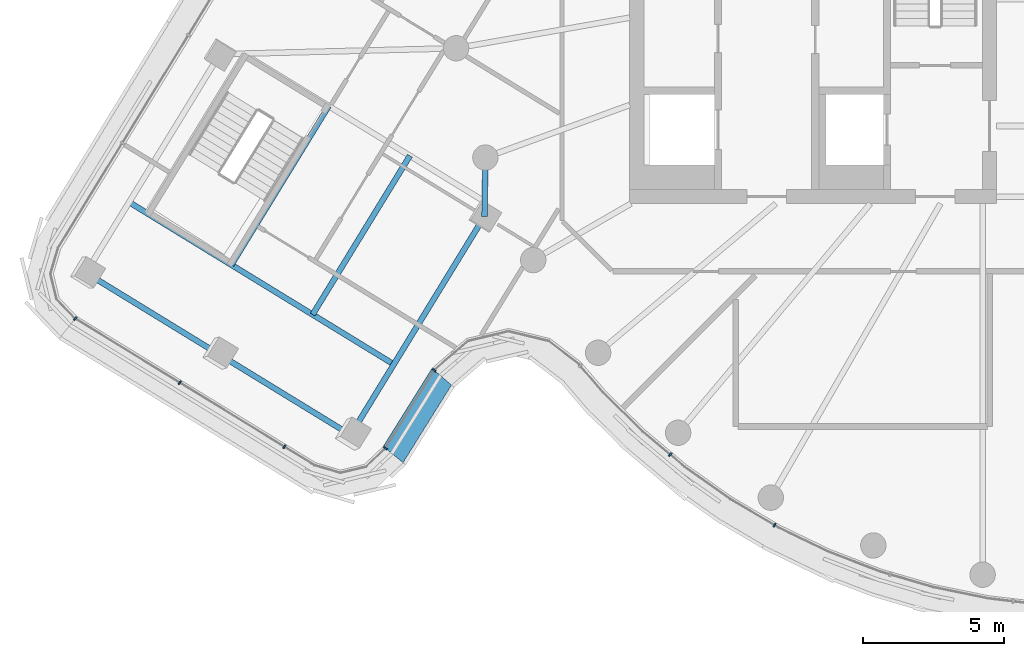
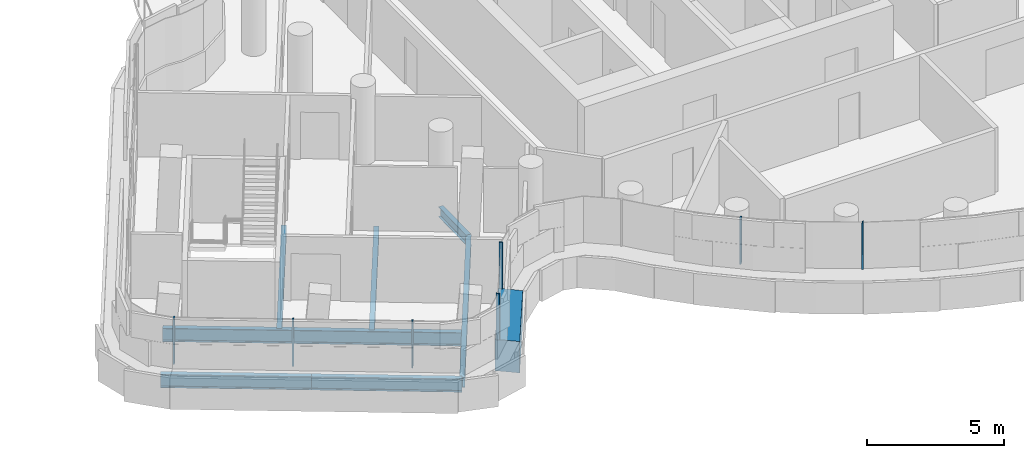
# One storey, part 2 of 27: 8 members, 7 beams, 3 elements without a shape of their own.
"""IFC4 building model written with IfcOpenShell, lengths in metres."""

from ifc_helpers import new_model, si_unit, direction, frame, origin, origin_2d, place, context, subcontext, project, spatial, polyline, rectangle, i_section, outline, extrude, material, layer, layer_set, material_profile, profile_set, type_object, element, aggregate, save


model = new_model("IFC4")

# Units and contexts
model_context = context("Model", 3, precision=1e-05, world=origin(), true_north=direction((0.0, 1.0)))
body_context = subcontext(model_context, "Body", "Model", "MODEL_VIEW")
ifc_project = project(units=[si_unit("LENGTHUNIT", "METRE"), si_unit("AREAUNIT", "SQUARE_METRE"), si_unit("VOLUMEUNIT", "CUBIC_METRE"), si_unit("PLANEANGLEUNIT", "RADIAN"), si_unit("MASSUNIT", "GRAM", prefix="KILO")], contexts=[model_context])

# Site, building, storey
site_placement = place(None, origin())
site = spatial("IfcSite", under=ifc_project, at=site_placement, CompositionType="ELEMENT")
building_placement = place(site_placement, origin())
building = spatial("IfcBuilding", under=site, at=building_placement, Name="Tamarind Cross Interchange Tower", CompositionType="ELEMENT")
storey_placement = place(building_placement, frame((0.0, 0.0, 245.10009765625)))
storey = spatial("IfcBuildingStorey", under=building, at=storey_placement, Name="L62", CompositionType="ELEMENT", Elevation=245.10009765625)

# Beams
ifc_material_1 = material(Name="Steel Q355B", Category="steel")
ifc_material_profile_1 = material_profile(ifc_material_1, i_section(OverallWidth=0.198974609375, OverallDepth=0.446044921875, WebThickness=0.008056640625, FlangeThickness=0.011962890625, FilletRadius=0.012939453125, at=origin_2d()), Name="HN 446x199x8x12")
ifc_profile_set_1 = profile_set([ifc_material_profile_1], Name="Steel Q355B")
beam_type_1 = type_object("IfcBeamType", Name="Composite beam HN 446x199x8x12 Q355B", PredefinedType="BEAM", material=ifc_profile_set_1)
beam_1_placement = place(storey_placement, frame((-26.390625, -17.6962890625, -0.363037109375), z_axis=(0.522367293093, 0.852720593809, 0.0), x_axis=(-0.852720593809, 0.522367293093, 0.0)))
element("IfcBeam", 1, at=beam_1_placement, inside=storey, type_object=beam_type_1, Name="Beam W-edgeep2", PredefinedType="BEAM", context=body_context, shape_type="SweptSolid", body=[
    extrude(i_section(OverallWidth=0.198974609375, OverallDepth=0.446044921875, WebThickness=0.008056640625, FlangeThickness=0.011962890625, FilletRadius=0.012939453125, at=origin_2d()), origin(), (0.0, 0.0, 1.0), 9.08349609375),
])
beam_2_placement = place(storey_placement, frame((-21.645751953125, -9.95068359375, -0.363037109375), z_axis=(0.01569444721, 0.999876834579, 0.0), x_axis=(-0.999876834579, 0.01569444721, 0.0)))
element("IfcBeam", 2, at=beam_2_placement, inside=storey, type_object=beam_type_1, Name="Beam W-linkep", PredefinedType="BEAM", context=body_context, shape_type="SweptSolid", body=[
    extrude(i_section(OverallWidth=0.198974609375, OverallDepth=0.446044921875, WebThickness=0.008056640625, FlangeThickness=0.011962890625, FilletRadius=0.012939453125, at=origin_2d()), origin(), (0.0, 0.0, 1.0), 2.08447265625),
])
for number, where, z_axis, x_axis, name in (
    (3, (-27.16650390625, -6.041015625, -0.363037109375), (-0.522356463097, -0.852727228052, 0.0), (0.852727228052, -0.522356463097, 0.0), "Beam W-tr1"),
    (4, (-24.28857421875, -7.803955078125, -0.363037109375), (-0.522356463097, -0.852727228052, 0.0), (0.852727228052, -0.522356463097, 0.0), "Beam W-stripp"),
):
    element("IfcBeam", number, at=place(storey_placement, frame(where, z_axis=z_axis, x_axis=x_axis)), inside=storey, type_object=beam_type_1, Name=name, PredefinedType="BEAM", context=body_context, shape_type="SweptSolid", body=[
        extrude(i_section(OverallWidth=0.198974609375, OverallDepth=0.446044921875, WebThickness=0.008056640625, FlangeThickness=0.011962890625, FilletRadius=0.012939453125, at=origin_2d()), origin(), (0.0, 0.0, 1.0), 6.599853515625),
    ])
ifc_material_profile_2 = material_profile(ifc_material_1, i_section(OverallWidth=0.198974609375, OverallDepth=0.595947265625, WebThickness=0.010009765625, FlangeThickness=0.014892578125, FilletRadius=0.012939453125, at=origin_2d()), Name="HN 596x199x10x15")
ifc_profile_set_2 = profile_set([ifc_material_profile_2], Name="Steel Q355B")
beam_type_2 = type_object("IfcBeamType", Name="Composite beam HN 596x199x10x15 Q355B", PredefinedType="BEAM", material=ifc_profile_set_2)
for number, where, z_axis, x_axis, name in (
    (5, (-35.7705078125, -11.9501953125, -0.43798828125), (0.852717341803, -0.522372601683, 0.0), (0.522372601683, 0.852717341803, 0.0), "Beam W-tip0"),
    (6, (-31.08056640625, -14.8232421875, -0.43798828125), (0.852717341803, -0.522372601683, 0.0), (0.522372601683, 0.852717341803, 0.0), "Beam W-tip1"),
):
    element("IfcBeam", number, at=place(storey_placement, frame(where, z_axis=z_axis, x_axis=x_axis)), inside=storey, type_object=beam_type_2, Name=name, PredefinedType="BEAM", context=body_context, shape_type="SweptSolid", body=[
        extrude(i_section(OverallWidth=0.198974609375, OverallDepth=0.595947265625, WebThickness=0.010009765625, FlangeThickness=0.014892578125, FilletRadius=0.012939453125, at=origin_2d()), origin(), (0.0, 0.0, 1.0), 5.5),
    ])
beam_3_placement = place(storey_placement, frame((-34.23828125, -9.44873046875, -0.43798828125), z_axis=(0.852723397946, -0.522362715548, 0.0), x_axis=(0.522362715548, 0.852723397946, 0.0)))
element("IfcBeam", 7, at=beam_3_placement, inside=storey, type_object=beam_type_2, Name="Beam W-x364", PredefinedType="BEAM", context=body_context, shape_type="SweptSolid", body=[
    extrude(i_section(OverallWidth=0.198974609375, OverallDepth=0.595947265625, WebThickness=0.010009765625, FlangeThickness=0.014892578125, FilletRadius=0.012939453125, at=origin_2d()), origin(), (0.0, 0.0, 1.0), 11.000244140625),
])

# Curtain wall, member
ifc_material_2 = material(Name="Aluminium 6063-T6", Category="aluminium")
ifc_layer = layer(ifc_material_2, 0.139892578125)
ifc_layer_set = layer_set([ifc_layer], Name="Aluminium 6063-T6")
curtain_wall_type = type_object("IfcCurtainWallType", Name="Hotel curtain wall, 4.5 m bays", PredefinedType="NOTDEFINED", material=ifc_layer_set)
curtain_wall_1_placement = place(storey_placement, origin())
curtain_wall_1 = element("IfcCurtainWall", 8, at=curtain_wall_1_placement, inside=storey, type_object=curtain_wall_type, Name="CWS-L62-05", PredefinedType="NOTDEFINED")
ifc_material_3 = material(Name="Aluminium and insulated spandrel panel", Category="aluminium")
member_type_1 = type_object("IfcMemberType", Name="Floor-edge blade transom", PredefinedType="USERDEFINED", material=ifc_material_3)
member_1_placement = place(storey_placement, origin())
member_1 = element("IfcMember", 9, at=member_1_placement, type_object=member_type_1, Name="CWT-L62-05", ObjectType="TRANSOM", PredefinedType="USERDEFINED", context=body_context, shape_type="SweptSolid", body=[
    extrude(outline(polyline([(-25.2333984375, -18.105224609375), (-23.505615234375, -15.337646484375), (-22.81396484375, -15.929443359375), (-24.53076171875, -18.678955078125), (-25.2333984375, -18.105224609375)])), origin(), (0.0, 0.0, 1.0), 1.39990234375),
])

# Curtain wall, members
curtain_wall_2_placement = place(storey_placement, origin())
curtain_wall_2 = element("IfcCurtainWall", 10, at=curtain_wall_2_placement, inside=storey, type_object=curtain_wall_type, Name="CWS-L62-04", PredefinedType="NOTDEFINED")
ifc_material_profile_3 = material_profile(ifc_material_2, rectangle(XDim=0.06005859375, YDim=0.139892578125, at=origin_2d()), Name="Mullion CW2")
ifc_profile_set_3 = profile_set([ifc_material_profile_3], Name="Aluminium 6063-T6")
member_type_2 = type_object("IfcMemberType", Name="Mullion CW2", PredefinedType="MULLION", material=ifc_profile_set_3)
member_2_placement = place(storey_placement, frame((-36.149658203125, -13.57666015625, 1.39990234375), z_axis=(0.0, 0.0, 1.0), x_axis=(0.777242608964, -0.629201022577, 0.0)))
member_2 = element("IfcMember", 11, at=member_2_placement, type_object=member_type_2, Name="CWM-L62-04-00", PredefinedType="MULLION", context=body_context, shape_type="SweptSolid", body=[
    extrude(rectangle(XDim=0.06005859375, YDim=0.139892578125, at=origin_2d()), origin(), (0.0, 0.0, 1.0), 2.06005859375),
])
member_3_placement = place(storey_placement, frame((-32.444091796875, -15.8466796875, 1.39990234375), z_axis=(0.0, 0.0, 1.0), x_axis=(0.852720404316, -0.522367602426, 0.0)))
member_3 = element("IfcMember", 12, at=member_3_placement, type_object=member_type_2, Name="CWM-L62-04-01", PredefinedType="MULLION", context=body_context, shape_type="SweptSolid", body=[
    extrude(rectangle(XDim=0.06005859375, YDim=0.139892578125, at=origin_2d()), origin(), (0.0, 0.0, 1.0), 2.06005859375),
])
member_4_placement = place(storey_placement, frame((-28.738525390625, -18.11669921875, 1.39990234375), z_axis=(0.0, 0.0, 1.0), x_axis=(0.852720404316, -0.522367602426, 0.0)))
member_4 = element("IfcMember", 13, at=member_4_placement, type_object=member_type_2, Name="CWM-L62-04-02", PredefinedType="MULLION", context=body_context, shape_type="SweptSolid", body=[
    extrude(rectangle(XDim=0.06005859375, YDim=0.139892578125, at=origin_2d()), origin(), (0.0, 0.0, 1.0), 2.06005859375),
])
aggregate(curtain_wall_2, [member_2, member_3, member_4])

# Member
member_5_placement = place(storey_placement, frame((-25.1552734375, -18.1689453125, 1.39990234375), z_axis=(0.0, 0.0, 1.0), x_axis=(0.632496936296, 0.774562860958, 0.0)))
member_5 = element("IfcMember", 14, at=member_5_placement, type_object=member_type_2, Name="CWM-L62-05-00", PredefinedType="MULLION", context=body_context, shape_type="SweptSolid", body=[
    extrude(rectangle(XDim=0.06005859375, YDim=0.139892578125, at=origin_2d()), origin(), (0.0, 0.0, 1.0), 2.06005859375),
])

aggregate(curtain_wall_1, [member_5, member_1])

# Curtain wall, members
curtain_wall_3_placement = place(storey_placement, origin())
curtain_wall_3 = element("IfcCurtainWall", 15, at=curtain_wall_3_placement, inside=storey, type_object=curtain_wall_type, Name="CWS-L62-06", PredefinedType="NOTDEFINED")
member_6_placement = place(storey_placement, frame((-23.4287109375, -15.4033203125, 1.39990234375), z_axis=(0.0, 0.0, 1.0), x_axis=(0.650272895634, 0.759700705017, 0.0)))
member_6 = element("IfcMember", 16, at=member_6_placement, type_object=member_type_2, Name="CWM-L62-06-00", PredefinedType="MULLION", context=body_context, shape_type="SweptSolid", body=[
    extrude(rectangle(XDim=0.06005859375, YDim=0.139892578125, at=origin_2d()), origin(), (0.0, 0.0, 1.0), 2.06005859375),
])
member_7_placement = place(storey_placement, frame((-15.064208984375, -18.396484375, 1.39990234375), z_axis=(0.0, 0.0, 1.0), x_axis=(0.765858396687, -0.643009266048, 0.0)))
member_7 = element("IfcMember", 17, at=member_7_placement, type_object=member_type_2, Name="CWM-L62-06-02", PredefinedType="MULLION", context=body_context, shape_type="SweptSolid", body=[
    extrude(rectangle(XDim=0.06005859375, YDim=0.139892578125, at=origin_2d()), origin(), (0.0, 0.0, 1.0), 2.06005859375),
])
member_8_placement = place(storey_placement, frame((-11.371337890625, -20.89599609375, 1.39990234375), z_axis=(0.0, 0.0, 1.0), x_axis=(0.861248933065, -0.508183308752, 0.0)))
member_8 = element("IfcMember", 18, at=member_8_placement, type_object=member_type_2, Name="CWM-L62-06-03", PredefinedType="MULLION", context=body_context, shape_type="SweptSolid", body=[
    extrude(rectangle(XDim=0.06005859375, YDim=0.139892578125, at=origin_2d()), origin(), (0.0, 0.0, 1.0), 2.06005859375),
])
aggregate(curtain_wall_3, [member_6, member_7, member_8])

save(model, "model.ifc")
